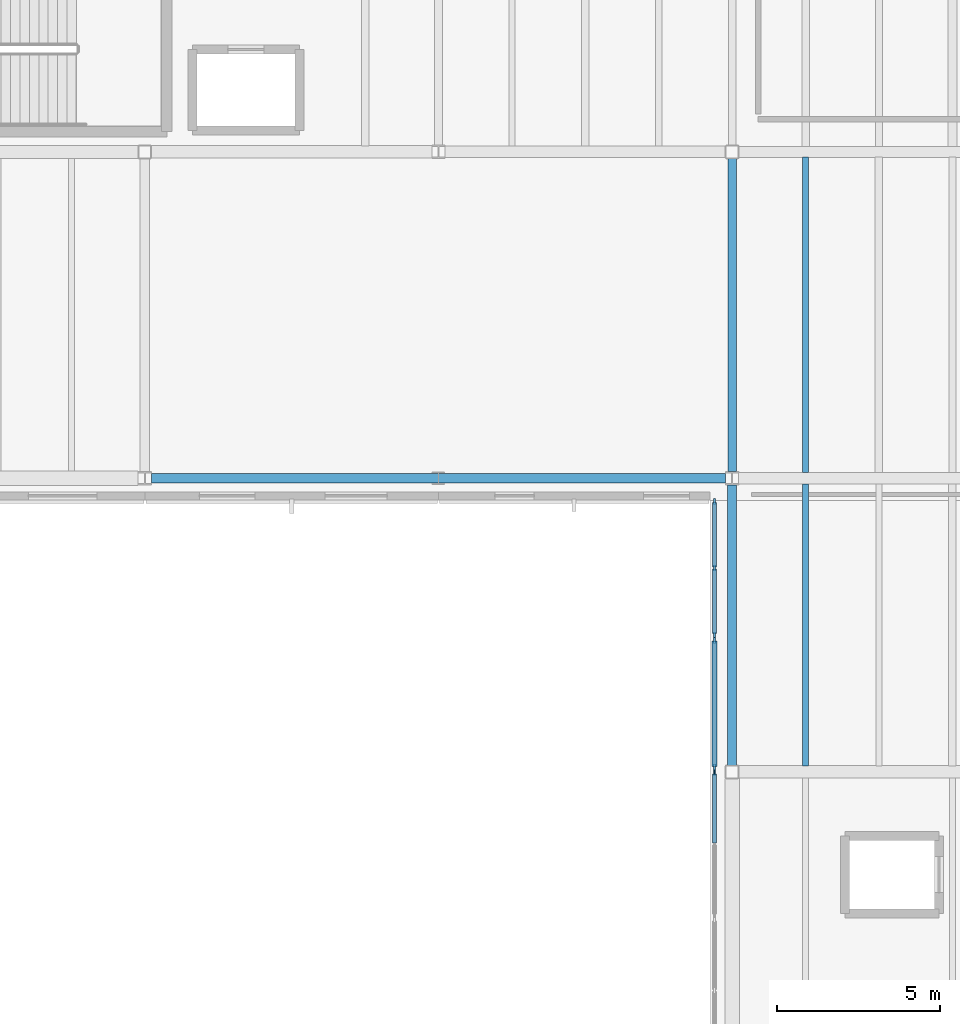
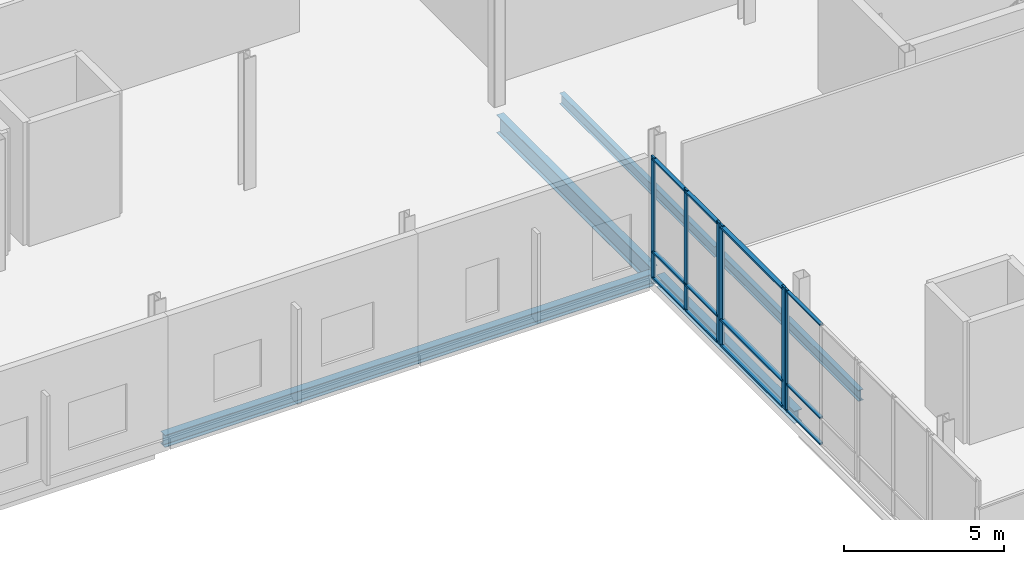
# One storey, part 20 of 81: 18 members, 5 beams, 3 elements without a shape of their own.
"""IFC4 building model written with IfcOpenShell, lengths in metres."""

from ifc_helpers import new_model, si_unit, direction, frame, origin, origin_2d, place, context, subcontext, project, spatial, rectangle, i_section, extrude, material, material_profile, profile_set, type_object, element, aggregate, save


model = new_model("IFC4")

# Units and contexts
model_context = context("Model", 3, precision=1e-05, world=origin(), true_north=direction((0.0, 1.0)))
body_context = subcontext(model_context, "Body", "Model", "MODEL_VIEW")
ifc_project = project(units=[si_unit("LENGTHUNIT", "METRE"), si_unit("AREAUNIT", "SQUARE_METRE"), si_unit("VOLUMEUNIT", "CUBIC_METRE"), si_unit("PLANEANGLEUNIT", "RADIAN"), si_unit("MASSUNIT", "GRAM", prefix="KILO")], contexts=[model_context])

# Site, building, storey
site_placement = place(None, origin())
site = spatial("IfcSite", under=ifc_project, at=site_placement, CompositionType="ELEMENT")
building_placement = place(site_placement, origin())
building = spatial("IfcBuilding", under=site, at=building_placement, Name="Trimount Lyric Opera House", CompositionType="ELEMENT")
storey_placement = place(building_placement, frame((0.0, 0.0, 5.0)))
storey = spatial("IfcBuildingStorey", under=building, at=storey_placement, Name="L01", CompositionType="ELEMENT", Elevation=5.0)

# Beams
ifc_material_1 = material(Name="Steel ASTM A992 Grade 50", Category="steel")
ifc_material_profile_1 = material_profile(ifc_material_1, i_section(OverallWidth=0.25390625, OverallDepth=0.68798828125, WebThickness=0.01318359375, FlangeThickness=0.02099609375, FilletRadius=0.01611328125, at=origin_2d()), Name="W27X102")
ifc_profile_set_1 = profile_set([ifc_material_profile_1], Name="Steel ASTM A992 Grade 50")
beam_type_1 = type_object("IfcBeamType", Name="B-09", PredefinedType="BEAM", material=ifc_profile_set_1)
beam_1_placement = place(storey_placement, frame((45.0, 44.20849609375, -0.6240234375), z_axis=(0.0, 1.0, 0.0), x_axis=(-1.0, 0.0, 0.0)))
element("IfcBeam", 1, at=beam_1_placement, inside=storey, type_object=beam_type_1, Name="L01 girder Y-0629", PredefinedType="BEAM", context=body_context, shape_type="SweptSolid", body=[
    extrude(i_section(OverallWidth=0.25390625, OverallDepth=0.68798828125, WebThickness=0.01318359375, FlangeThickness=0.02099609375, FilletRadius=0.01611328125, at=origin_2d()), origin(), (0.0, 0.0, 1.0), 9.58837890625),
])
ifc_material_2 = material(Name="Steel ASTM A992 Grade 50", Category="steel")
ifc_material_profile_2 = material_profile(ifc_material_2, i_section(OverallWidth=0.180908203125, OverallDepth=0.4169921875, WebThickness=0.010986328125, FlangeThickness=0.018310546875, FilletRadius=0.010986328125, at=origin_2d()), Name="W16X57")
ifc_profile_set_2 = profile_set([ifc_material_profile_2], Name="Steel ASTM A992 Grade 50")
beam_type_2 = type_object("IfcBeamType", Name="J-05", PredefinedType="BEAM", material=ifc_profile_set_2)
beam_2_placement = place(storey_placement, frame((47.25, 35.18701171875, -0.508544921875), z_axis=(0.0, 1.0, 0.0), x_axis=(-1.0, 0.0, 0.0)))
element("IfcBeam", 2, at=beam_2_placement, inside=storey, type_object=beam_type_2, Name="L01 composite floor joist 0635", PredefinedType="BEAM", context=body_context, shape_type="SweptSolid", body=[
    extrude(i_section(OverallWidth=0.180908203125, OverallDepth=0.4169921875, WebThickness=0.010986328125, FlangeThickness=0.018310546875, FilletRadius=0.010986328125, at=origin_2d()), origin(), (0.0, 0.0, 1.0), 8.638916015625),
])
ifc_material_3 = material(Name="Steel ASTM A992 Grade 50", Category="steel")
ifc_material_profile_3 = material_profile(ifc_material_3, i_section(OverallWidth=0.177978515625, OverallDepth=0.404052734375, WebThickness=0.007568359375, FlangeThickness=0.010986328125, FilletRadius=0.010009765625, at=origin_2d()), Name="W16X36")
ifc_profile_set_3 = profile_set([ifc_material_profile_3], Name="Steel ASTM A992 Grade 50")
beam_type_3 = type_object("IfcBeamType", Name="J-06", PredefinedType="BEAM", material=ifc_profile_set_3)
beam_3_placement = place(storey_placement, frame((47.25, 44.174072265625, -0.48193359375), z_axis=(0.0, 1.0, 0.0), x_axis=(-1.0, 0.0, 0.0)))
element("IfcBeam", 3, at=beam_3_placement, inside=storey, type_object=beam_type_3, Name="L01 composite floor joist 0638", PredefinedType="BEAM", context=body_context, shape_type="SweptSolid", body=[
    extrude(i_section(OverallWidth=0.177978515625, OverallDepth=0.404052734375, WebThickness=0.007568359375, FlangeThickness=0.010986328125, FilletRadius=0.010009765625, at=origin_2d()), origin(), (0.0, 0.0, 1.0), 9.666015625),
])

# Curtain wall, members
ifc_material_4 = material(Name="Thermally Broken Aluminium and Low-E Glass", Category="aluminium")
curtain_wall_type = type_object("IfcCurtainWallType", Name="CW-01", PredefinedType="NOTDEFINED", material=ifc_material_4)
curtain_wall_1_placement = place(storey_placement, origin())
curtain_wall_1 = element("IfcCurtainWall", 4, at=curtain_wall_1_placement, inside=storey, type_object=curtain_wall_type, Name="L01 curtain wall 114", PredefinedType="NOTDEFINED")
ifc_material_5 = material(Name="Anodised Aluminium 6063-T6", Category="aluminium")
ifc_material_profile_4 = material_profile(ifc_material_5, rectangle(XDim=0.070068359375, YDim=0.219970703125, at=origin_2d()), Name="ALU-MULL-70X220")
ifc_profile_set_4 = profile_set([ifc_material_profile_4], Name="Anodised Aluminium 6063-T6")
member_type_1 = type_object("IfcMemberType", Name="ML-01", PredefinedType="MULLION", material=ifc_profile_set_4)
member_1_placement = place(storey_placement, frame((44.4599609375, 35.125, 0.0), z_axis=(0.0, 0.0, 1.0), x_axis=(-1.0, 0.0, 0.0)))
member_1 = element("IfcMember", 5, at=member_1_placement, type_object=member_type_1, Name="CW-01 mullion 1", PredefinedType="MULLION", context=body_context, shape_type="SweptSolid", body=[
    extrude(rectangle(XDim=0.070068359375, YDim=0.219970703125, at=origin_2d()), origin(), (0.0, 0.0, 1.0), 4.64990234375),
])
member_2_placement = place(storey_placement, frame((44.4599609375, 39.044921875, 0.0), z_axis=(0.0, 0.0, 1.0), x_axis=(-1.0, 0.0, 0.0)))
member_2 = element("IfcMember", 6, at=member_2_placement, type_object=member_type_1, Name="CW-01 mullion 2", PredefinedType="MULLION", context=body_context, shape_type="SweptSolid", body=[
    extrude(rectangle(XDim=0.070068359375, YDim=0.219970703125, at=origin_2d()), origin(), (0.0, 0.0, 1.0), 4.64990234375),
])

curtain_wall_2_placement = place(storey_placement, origin())
curtain_wall_2 = element("IfcCurtainWall", 7, at=curtain_wall_2_placement, inside=storey, type_object=curtain_wall_type, Name="L01 curtain wall 115", PredefinedType="NOTDEFINED")
ifc_material_6 = material(Name="Anodised Aluminium 6063-T6", Category="aluminium")
ifc_material_profile_5 = material_profile(ifc_material_6, rectangle(XDim=0.06494140625, YDim=0.179931640625, at=origin_2d()), Name="ALU-MULL-65X180")
ifc_profile_set_5 = profile_set([ifc_material_profile_5], Name="Anodised Aluminium 6063-T6")
member_type_2 = type_object("IfcMemberType", Name="ML-02", PredefinedType="MULLION", material=ifc_profile_set_5)
member_3_placement = place(storey_placement, frame((44.4599609375, 39.202392578125, 0.0), z_axis=(0.0, 0.0, 1.0), x_axis=(-1.0, 0.0, 0.0)))
member_3 = element("IfcMember", 8, at=member_3_placement, type_object=member_type_2, Name="CW-01 mullion 1", PredefinedType="MULLION", context=body_context, shape_type="SweptSolid", body=[
    extrude(rectangle(XDim=0.06494140625, YDim=0.179931640625, at=origin_2d()), origin(), (0.0, 0.0, 1.0), 4.64990234375),
])
member_4_placement = place(storey_placement, frame((44.4599609375, 41.2451171875, 0.0), z_axis=(0.0, 0.0, 1.0), x_axis=(-1.0, 0.0, 0.0)))
member_4 = element("IfcMember", 9, at=member_4_placement, type_object=member_type_2, Name="CW-01 mullion 2", PredefinedType="MULLION", context=body_context, shape_type="SweptSolid", body=[
    extrude(rectangle(XDim=0.06494140625, YDim=0.179931640625, at=origin_2d()), origin(), (0.0, 0.0, 1.0), 4.64990234375),
])
member_5_placement = place(storey_placement, frame((44.4599609375, 43.28759765625, 0.0), z_axis=(0.0, 0.0, 1.0), x_axis=(-1.0, 0.0, 0.0)))
member_5 = element("IfcMember", 10, at=member_5_placement, type_object=member_type_2, Name="CW-01 mullion 3", PredefinedType="MULLION", context=body_context, shape_type="SweptSolid", body=[
    extrude(rectangle(XDim=0.06494140625, YDim=0.179931640625, at=origin_2d()), origin(), (0.0, 0.0, 1.0), 4.64990234375),
])

# Curtain wall, member
curtain_wall_3_placement = place(storey_placement, origin())
curtain_wall_3 = element("IfcCurtainWall", 11, at=curtain_wall_3_placement, inside=storey, type_object=curtain_wall_type, Name="L01 curtain wall 113", PredefinedType="NOTDEFINED")
ifc_material_7 = material(Name="Anodised Aluminium 6063-T6", Category="aluminium")
ifc_material_profile_6 = material_profile(ifc_material_7, rectangle(XDim=0.06005859375, YDim=0.14990234375, at=origin_2d()), Name="ALU-MULL-60X150")
ifc_profile_set_6 = profile_set([ifc_material_profile_6], Name="Anodised Aluminium 6063-T6")
member_type_3 = type_object("IfcMemberType", Name="ML-03", PredefinedType="MULLION", material=ifc_profile_set_6)
member_6_placement = place(storey_placement, frame((44.4599609375, 34.969970703125, 0.0), z_axis=(0.0, 0.0, 1.0), x_axis=(-1.0, 0.0, 0.0)))
member_6 = element("IfcMember", 12, at=member_6_placement, type_object=member_type_3, Name="CW-01 mullion 3", PredefinedType="MULLION", context=body_context, shape_type="SweptSolid", body=[
    extrude(rectangle(XDim=0.06005859375, YDim=0.14990234375, at=origin_2d()), origin(), (0.0, 0.0, 1.0), 4.64990234375),
])

# Beams
ifc_material_8 = material(Name="Steel ASTM A992 Grade 50", Category="steel")
ifc_material_profile_7 = material_profile(ifc_material_8, i_section(OverallWidth=0.281982421875, OverallDepth=0.467041015625, WebThickness=0.01220703125, FlangeThickness=0.01953125, FilletRadius=0.012939453125, at=origin_2d()), Name="W18X86")
ifc_profile_set_7 = profile_set([ifc_material_profile_7], Name="Steel ASTM A992 Grade 50")
beam_type_4 = type_object("IfcBeamType", Name="SP-01", PredefinedType="SPANDREL", material=ifc_profile_set_7)
beam_4_placement = place(storey_placement, frame((27.202880859375, 44.0, -0.513427734375), z_axis=(1.0, 0.0, 0.0), x_axis=(0.0, 1.0, 0.0)))
element("IfcBeam", 13, at=beam_4_placement, inside=storey, type_object=beam_type_4, Name="L01 girder X-0476", PredefinedType="SPANDREL", context=body_context, shape_type="SweptSolid", body=[
    extrude(i_section(OverallWidth=0.281982421875, OverallDepth=0.467041015625, WebThickness=0.01220703125, FlangeThickness=0.01953125, FilletRadius=0.012939453125, at=origin_2d()), origin(), (0.0, 0.0, 1.0), 17.59423828125),
])
beam_5_placement = place(storey_placement, frame((45.0, 35.203125, -0.533447265625), z_axis=(0.0, 1.0, 0.0), x_axis=(-1.0, 0.0, 0.0)))
element("IfcBeam", 14, at=beam_5_placement, inside=storey, type_object=beam_type_4, Name="L01 girder Y-0628", PredefinedType="SPANDREL", context=body_context, shape_type="SweptSolid", body=[
    extrude(i_section(OverallWidth=0.281982421875, OverallDepth=0.467041015625, WebThickness=0.01220703125, FlangeThickness=0.01953125, FilletRadius=0.012939453125, at=origin_2d()), origin(), (0.0, 0.0, 1.0), 8.58837890625),
])

# Member
ifc_material_9 = material(Name="Anodised Aluminium 6063-T6", Category="aluminium")
ifc_material_profile_8 = material_profile(ifc_material_9, rectangle(XDim=0.159912109375, YDim=0.070068359375, at=origin_2d()), Name="ALU-TRAN-70X160")
ifc_profile_set_8 = profile_set([ifc_material_profile_8], Name="Anodised Aluminium 6063-T6")
member_type_4 = type_object("IfcMemberType", Name="TR-01", PredefinedType="USERDEFINED", material=ifc_profile_set_8)
member_7_placement = place(storey_placement, frame((44.4599609375, 35.159912109375, 0.080078125), z_axis=(0.0, 1.0, 0.0), x_axis=(-1.0, 0.0, 0.0)))
member_7 = element("IfcMember", 15, at=member_7_placement, type_object=member_type_4, Name="CW-01 transom 1.1", ObjectType="TRANSOM", PredefinedType="USERDEFINED", context=body_context, shape_type="SweptSolid", body=[
    extrude(rectangle(XDim=0.159912109375, YDim=0.070068359375, at=origin_2d()), origin(), (0.0, 0.0, 1.0), 3.85009765625),
])

member_8_placement = place(storey_placement, frame((44.4599609375, 35.159912109375, 1.050048828125), z_axis=(0.0, 1.0, 0.0), x_axis=(-1.0, 0.0, 0.0)))
member_8 = element("IfcMember", 16, at=member_8_placement, type_object=member_type_4, Name="CW-01 transom 1.2", ObjectType="TRANSOM", PredefinedType="USERDEFINED", context=body_context, shape_type="SweptSolid", body=[
    extrude(rectangle(XDim=0.159912109375, YDim=0.070068359375, at=origin_2d()), origin(), (0.0, 0.0, 1.0), 3.85009765625),
])

member_9_placement = place(storey_placement, frame((44.4599609375, 35.159912109375, 4.570068359375), z_axis=(0.0, 1.0, 0.0), x_axis=(-1.0, 0.0, 0.0)))
member_9 = element("IfcMember", 17, at=member_9_placement, type_object=member_type_4, Name="CW-01 transom 1.3", ObjectType="TRANSOM", PredefinedType="USERDEFINED", context=body_context, shape_type="SweptSolid", body=[
    extrude(rectangle(XDim=0.159912109375, YDim=0.070068359375, at=origin_2d()), origin(), (0.0, 0.0, 1.0), 3.85009765625),
])

aggregate(curtain_wall_1, [member_1, member_2, member_7, member_8, member_9])

ifc_material_10 = material(Name="Anodised Aluminium 6063-T6", Category="aluminium")
ifc_material_profile_9 = material_profile(ifc_material_10, rectangle(XDim=0.135009765625, YDim=0.06494140625, at=origin_2d()), Name="ALU-TRAN-65X135")
ifc_profile_set_9 = profile_set([ifc_material_profile_9], Name="Anodised Aluminium 6063-T6")
member_type_5 = type_object("IfcMemberType", Name="TR-02", PredefinedType="USERDEFINED", material=ifc_profile_set_9)
member_10_placement = place(storey_placement, frame((44.4599609375, 39.235107421875, 0.0673828125), z_axis=(0.0, 1.0, 0.0), x_axis=(-1.0, 0.0, 0.0)))
member_10 = element("IfcMember", 18, at=member_10_placement, type_object=member_type_5, Name="CW-01 transom 1.1", ObjectType="TRANSOM", PredefinedType="USERDEFINED", context=body_context, shape_type="SweptSolid", body=[
    extrude(rectangle(XDim=0.135009765625, YDim=0.06494140625, at=origin_2d()), origin(), (0.0, 0.0, 1.0), 1.977294921875),
])

member_11_placement = place(storey_placement, frame((44.4599609375, 39.235107421875, 1.050048828125), z_axis=(0.0, 1.0, 0.0), x_axis=(-1.0, 0.0, 0.0)))
member_11 = element("IfcMember", 19, at=member_11_placement, type_object=member_type_5, Name="CW-01 transom 1.2", ObjectType="TRANSOM", PredefinedType="USERDEFINED", context=body_context, shape_type="SweptSolid", body=[
    extrude(rectangle(XDim=0.135009765625, YDim=0.06494140625, at=origin_2d()), origin(), (0.0, 0.0, 1.0), 1.977294921875),
])

member_12_placement = place(storey_placement, frame((44.4599609375, 39.235107421875, 4.58251953125), z_axis=(0.0, 1.0, 0.0), x_axis=(-1.0, 0.0, 0.0)))
member_12 = element("IfcMember", 20, at=member_12_placement, type_object=member_type_5, Name="CW-01 transom 1.3", ObjectType="TRANSOM", PredefinedType="USERDEFINED", context=body_context, shape_type="SweptSolid", body=[
    extrude(rectangle(XDim=0.135009765625, YDim=0.06494140625, at=origin_2d()), origin(), (0.0, 0.0, 1.0), 1.977294921875),
])

member_13_placement = place(storey_placement, frame((44.4599609375, 41.277587890625, 0.0673828125), z_axis=(0.0, 1.0, 0.0), x_axis=(-1.0, 0.0, 0.0)))
member_13 = element("IfcMember", 21, at=member_13_placement, type_object=member_type_5, Name="CW-01 transom 2.1", ObjectType="TRANSOM", PredefinedType="USERDEFINED", context=body_context, shape_type="SweptSolid", body=[
    extrude(rectangle(XDim=0.135009765625, YDim=0.06494140625, at=origin_2d()), origin(), (0.0, 0.0, 1.0), 1.977294921875),
])

member_14_placement = place(storey_placement, frame((44.4599609375, 41.277587890625, 1.050048828125), z_axis=(0.0, 1.0, 0.0), x_axis=(-1.0, 0.0, 0.0)))
member_14 = element("IfcMember", 22, at=member_14_placement, type_object=member_type_5, Name="CW-01 transom 2.2", ObjectType="TRANSOM", PredefinedType="USERDEFINED", context=body_context, shape_type="SweptSolid", body=[
    extrude(rectangle(XDim=0.135009765625, YDim=0.06494140625, at=origin_2d()), origin(), (0.0, 0.0, 1.0), 1.977294921875),
])

member_15_placement = place(storey_placement, frame((44.4599609375, 41.277587890625, 4.58251953125), z_axis=(0.0, 1.0, 0.0), x_axis=(-1.0, 0.0, 0.0)))
member_15 = element("IfcMember", 23, at=member_15_placement, type_object=member_type_5, Name="CW-01 transom 2.3", ObjectType="TRANSOM", PredefinedType="USERDEFINED", context=body_context, shape_type="SweptSolid", body=[
    extrude(rectangle(XDim=0.135009765625, YDim=0.06494140625, at=origin_2d()), origin(), (0.0, 0.0, 1.0), 1.977294921875),
])

aggregate(curtain_wall_2, [member_3, member_4, member_5, member_10, member_11, member_12, member_13, member_14, member_15])

ifc_material_11 = material(Name="Anodised Aluminium 6063-T6", Category="aluminium")
ifc_material_profile_10 = material_profile(ifc_material_11, rectangle(XDim=0.114990234375, YDim=0.06005859375, at=origin_2d()), Name="ALU-TRAN-60X115")
ifc_profile_set_10 = profile_set([ifc_material_profile_10], Name="Anodised Aluminium 6063-T6")
member_type_6 = type_object("IfcMemberType", Name="TR-03", PredefinedType="USERDEFINED", material=ifc_profile_set_10)
member_16_placement = place(storey_placement, frame((44.4599609375, 32.824951171875, 0.0576171875), z_axis=(0.0, 1.0, 0.0), x_axis=(-1.0, 0.0, 0.0)))
member_16 = element("IfcMember", 24, at=member_16_placement, type_object=member_type_6, Name="CW-01 transom 2.1", ObjectType="TRANSOM", PredefinedType="USERDEFINED", context=body_context, shape_type="SweptSolid", body=[
    extrude(rectangle(XDim=0.114990234375, YDim=0.06005859375, at=origin_2d()), origin(), (0.0, 0.0, 1.0), 2.114990234375),
])

member_17_placement = place(storey_placement, frame((44.4599609375, 32.824951171875, 1.050048828125), z_axis=(0.0, 1.0, 0.0), x_axis=(-1.0, 0.0, 0.0)))
member_17 = element("IfcMember", 25, at=member_17_placement, type_object=member_type_6, Name="CW-01 transom 2.2", ObjectType="TRANSOM", PredefinedType="USERDEFINED", context=body_context, shape_type="SweptSolid", body=[
    extrude(rectangle(XDim=0.114990234375, YDim=0.06005859375, at=origin_2d()), origin(), (0.0, 0.0, 1.0), 2.114990234375),
])

member_18_placement = place(storey_placement, frame((44.4599609375, 32.824951171875, 4.592529296875), z_axis=(0.0, 1.0, 0.0), x_axis=(-1.0, 0.0, 0.0)))
member_18 = element("IfcMember", 26, at=member_18_placement, type_object=member_type_6, Name="CW-01 transom 2.3", ObjectType="TRANSOM", PredefinedType="USERDEFINED", context=body_context, shape_type="SweptSolid", body=[
    extrude(rectangle(XDim=0.114990234375, YDim=0.06005859375, at=origin_2d()), origin(), (0.0, 0.0, 1.0), 2.114990234375),
])

aggregate(curtain_wall_3, [member_6, member_16, member_17, member_18])

save(model, "model.ifc")
